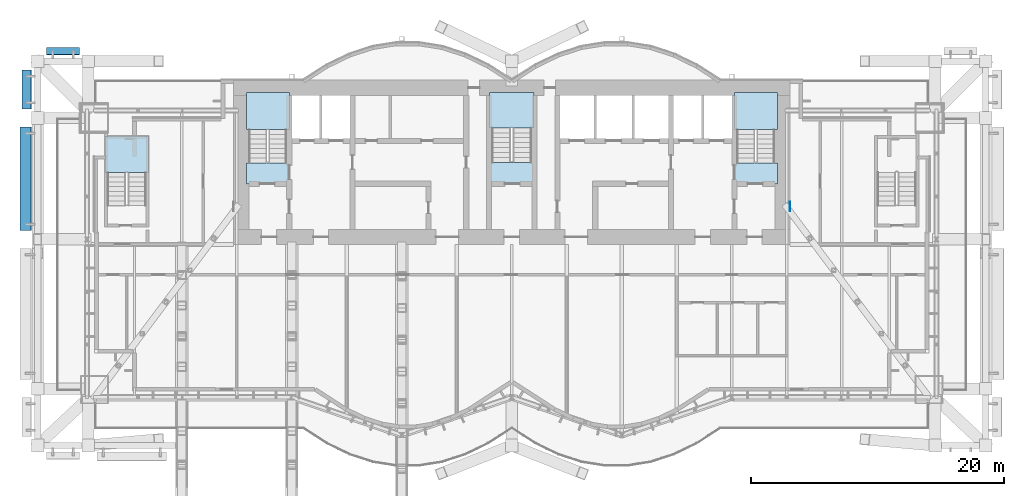
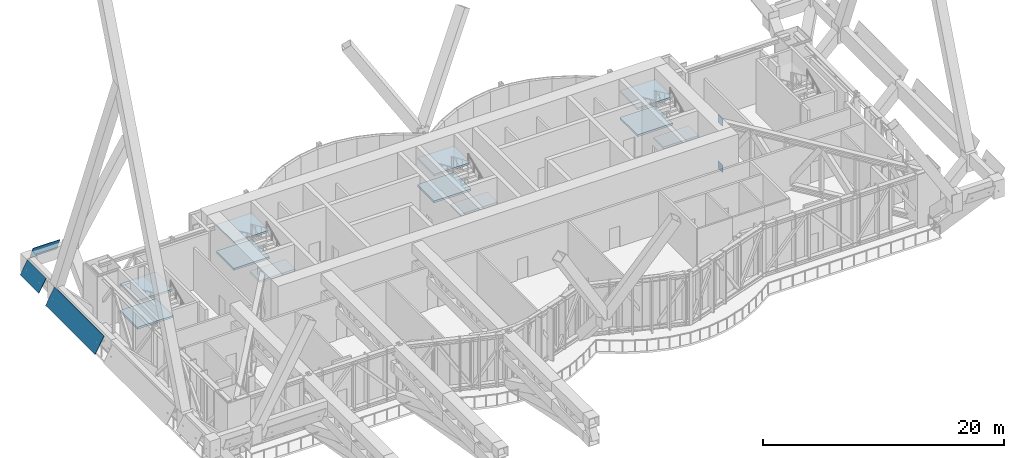
# One storey, part 22 of 30: 11 slabs, 5 plates, 4 elements without a shape of their own.
"""IFC4 building model written with IfcOpenShell, lengths in metres."""

from ifc_helpers import new_model, si_unit, direction, frame, origin, origin_2d, place, context, subcontext, project, spatial, polyline, rectangle, outline, extrude, material, layer, layer_set, type_object, element, aggregate, save


model = new_model("IFC4")

# Units and contexts
model_context = context("Model", 3, precision=1e-05, world=origin(), true_north=direction((0.0, 1.0)))
body_context = subcontext(model_context, "Body", "Model", "MODEL_VIEW")
ifc_project = project(units=[si_unit("LENGTHUNIT", "METRE"), si_unit("AREAUNIT", "SQUARE_METRE"), si_unit("VOLUMEUNIT", "CUBIC_METRE"), si_unit("PLANEANGLEUNIT", "RADIAN"), si_unit("MASSUNIT", "GRAM", prefix="KILO")], contexts=[model_context])

# Site, building, storey
site_placement = place(None, origin())
site = spatial("IfcSite", under=ifc_project, at=site_placement, CompositionType="ELEMENT")
building_placement = place(site_placement, origin())
building = spatial("IfcBuilding", under=site, at=building_placement, Name="Bicima Exchange Tower", CompositionType="ELEMENT")
storey_placement = place(building_placement, frame((0.0, 0.0, 287.60009765625)))
storey = spatial("IfcBuildingStorey", under=building, at=storey_placement, Name="L65", CompositionType="ELEMENT", Elevation=287.60009765625)

# Plates
ifc_material_1 = material(Name="Dark tinted spandrel glass", Category="glass")
ifc_layer_1 = layer(ifc_material_1, 0.0400390625)
ifc_layer_set_1 = layer_set([ifc_layer_1], Name="Dark tinted spandrel glass")
plate_type_1 = type_object("IfcPlateType", Name="Belt fascia glass panel 40", PredefinedType="SHEET", material=ifc_layer_set_1)
plate_1_placement = place(storey_placement, frame((-34.199951171875, 2.576416015625, 4.0498046875), z_axis=(0.0, 0.919715682457, 0.39258510344), x_axis=(-1.0, 0.0, 0.0)))
element("IfcPlate", 1, at=plate_1_placement, inside=storey, type_object=plate_type_1, Name="Belt fascia glass panel", PredefinedType="SHEET", context=body_context, shape_type="SweptSolid", body=[
    extrude(outline(polyline([(0.0, 0.0), (2.60009765625, 0.0), (2.60009765625, 1.3917663048388182), (0.0, 1.3917663048388182), (0.0, 0.0)])), origin(), (0.0, 0.0, -1.0), 0.0400390625),
])
plate_2_placement = place(storey_placement, frame((-38.732421875, 0.800048828125, 4.0498046875), z_axis=(-0.876685030348, 0.0, 0.481064816386), x_axis=(0.0, -1.0, 0.0)))
element("IfcPlate", 2, at=plate_2_placement, inside=storey, type_object=plate_type_1, Name="Belt fascia glass panel", PredefinedType="SHEET", context=body_context, shape_type="SweptSolid", body=[
    extrude(outline(polyline([(0.0, 0.0), (3.10009765625, 0.0), (3.10009765625, 1.4600788796032191), (0.0, 1.4600788796032191), (0.0, 0.0)])), origin(), (0.0, 0.0, -1.0), 0.0400390625),
])
plate_3_placement = place(storey_placement, frame((-38.897216796875, -3.699951171875, 3.75), z_axis=(-0.876618888201, 0.0, 0.481185333162), x_axis=(0.0, -1.0, 0.0)))
element("IfcPlate", 3, at=plate_3_placement, inside=storey, type_object=plate_type_1, Name="Belt fascia glass panel", PredefinedType="SHEET", context=body_context, shape_type="SweptSolid", body=[
    extrude(outline(polyline([(0.0, 0.0), (8.199951171875, 0.0), (8.199951171875, 1.8021902170255055), (0.0, 1.8021902170255055), (0.0, 0.0)])), origin(), (0.0, 0.0, -1.0), 0.0400390625),
])
ifc_material_2 = material(Name="Steel ASTM A572 Gr 50", Category="steel")
ifc_layer_2 = layer(ifc_material_2, 0.0400390625)
ifc_layer_set_2 = layer_set([ifc_layer_2], Name="Steel ASTM A572 Gr 50")
plate_type_2 = type_object("IfcPlateType", Name="Cast-in plate 40", PredefinedType="SHEET", material=ifc_layer_set_2)
for number, where, z_axis, x_axis, name in (
    (4, (22.02001953125, -10.0, 4.580810546875), (0.0, 0.0, 1.0), (1.0, 0.0, 0.0), "Cast-in plate at core wall"),
    (5, (22.02001953125, -10.0, -0.10009765625), (0.0, 0.0, 1.0), (1.0, 0.0, 0.0), "Cast-in plate at core wall"),
):
    element("IfcPlate", number, at=place(storey_placement, frame(where, z_axis=z_axis, x_axis=x_axis)), inside=storey, type_object=plate_type_2, Name=name, PredefinedType="SHEET", context=body_context, shape_type="SweptSolid", body=[
        extrude(rectangle(XDim=0.0400390625, YDim=0.754638671875, at=origin_2d()), origin(), (0.0, 0.0, 1.0), 0.76904296875),
    ])

# Stair, slabs
ifc_material_3 = material(Name="Concrete C50/60", Category="concrete")
stair_type_1 = type_object("IfcStairType", Name="Exit stair", PredefinedType="HALF_TURN_STAIR", material=ifc_material_3)
stair_1_placement = place(storey_placement, origin())
stair_1 = element("IfcStair", 6, at=stair_1_placement, inside=storey, type_object=stair_type_1, Name="L65 West exit stair", PredefinedType="HALF_TURN_STAIR")
ifc_layer_3 = layer(ifc_material_3, 0.199951171875)
ifc_layer_set_3 = layer_set([ifc_layer_3], Name="Concrete C50/60")
slab_type = type_object("IfcSlabType", Name="Stair landing slab", PredefinedType="LANDING", material=ifc_layer_set_3)
slab_1_placement = place(storey_placement, frame((0.0, 0.0, 1.14990234375)))
slab_1 = element("IfcSlab", 7, at=slab_1_placement, type_object=slab_type, Name="ST-W landing 1", PredefinedType="LANDING", context=body_context, shape_type="SweptSolid", body=[
    extrude(outline(polyline([(-17.60009765625, -3.919921875), (-17.60009765625, -1.0), (-21.0, -1.0), (-21.0, -3.919921875), (-17.60009765625, -3.919921875)])), origin(), (0.0, 0.0, 1.0), 0.199951171875),
])
slab_2_placement = place(storey_placement, frame((0.0, 0.0, 2.5)))
slab_2 = element("IfcSlab", 8, at=slab_2_placement, type_object=slab_type, Name="ST-W landing 2", PredefinedType="LANDING", context=body_context, shape_type="SweptSolid", body=[
    extrude(outline(polyline([(-17.60009765625, -8.199951171875), (-17.60009765625, -6.550048828125), (-21.0, -6.550048828125), (-21.0, -8.199951171875), (-17.60009765625, -8.199951171875)])), origin(), (0.0, 0.0, 1.0), 0.199951171875),
])
slab_3_placement = place(storey_placement, frame((0.0, 0.0, 3.849853515625)))
slab_3 = element("IfcSlab", 9, at=slab_3_placement, type_object=slab_type, Name="ST-W landing 3", PredefinedType="LANDING", context=body_context, shape_type="SweptSolid", body=[
    extrude(outline(polyline([(-17.60009765625, -3.919921875), (-17.60009765625, -1.0), (-21.0, -1.0), (-21.0, -3.919921875), (-17.60009765625, -3.919921875)])), origin(), (0.0, 0.0, 1.0), 0.199951171875),
])
aggregate(stair_1, [slab_1, slab_2, slab_3])

stair_type_2 = type_object("IfcStairType", Name="Exit stair 1500", PredefinedType="HALF_TURN_STAIR", material=ifc_material_3)
stair_2_placement = place(storey_placement, origin())
stair_2 = element("IfcStair", 10, at=stair_2_placement, inside=storey, type_object=stair_type_2, Name="L65 Central exit stair", PredefinedType="HALF_TURN_STAIR")
slab_4_placement = place(storey_placement, frame((0.0, 0.0, 1.14990234375)))
slab_4 = element("IfcSlab", 11, at=slab_4_placement, type_object=slab_type, Name="ST-C landing 1", PredefinedType="LANDING", context=body_context, shape_type="SweptSolid", body=[
    extrude(outline(polyline([(1.77490234375, -3.780029296875), (1.77490234375, -1.0), (-1.77490234375, -1.0), (-1.77490234375, -3.780029296875), (1.77490234375, -3.780029296875)])), origin(), (0.0, 0.0, 1.0), 0.199951171875),
])
slab_5_placement = place(storey_placement, frame((0.0, 0.0, 2.5)))
slab_5 = element("IfcSlab", 12, at=slab_5_placement, type_object=slab_type, Name="ST-C landing 2", PredefinedType="LANDING", context=body_context, shape_type="SweptSolid", body=[
    extrude(outline(polyline([(1.77490234375, -8.199951171875), (1.77490234375, -6.5), (-1.77490234375, -6.5), (-1.77490234375, -8.199951171875), (1.77490234375, -8.199951171875)])), origin(), (0.0, 0.0, 1.0), 0.199951171875),
])
slab_6_placement = place(storey_placement, frame((0.0, 0.0, 3.849853515625)))
slab_6 = element("IfcSlab", 13, at=slab_6_placement, type_object=slab_type, Name="ST-C landing 3", PredefinedType="LANDING", context=body_context, shape_type="SweptSolid", body=[
    extrude(outline(polyline([(1.77490234375, -3.780029296875), (1.77490234375, -1.0), (-1.77490234375, -1.0), (-1.77490234375, -3.780029296875), (1.77490234375, -3.780029296875)])), origin(), (0.0, 0.0, 1.0), 0.199951171875),
])
aggregate(stair_2, [slab_4, slab_5, slab_6])

stair_3_placement = place(storey_placement, origin())
stair_3 = element("IfcStair", 14, at=stair_3_placement, inside=storey, type_object=stair_type_1, Name="L65 East exit stair", PredefinedType="HALF_TURN_STAIR")
slab_7_placement = place(storey_placement, frame((0.0, 0.0, 1.14990234375)))
slab_7 = element("IfcSlab", 15, at=slab_7_placement, type_object=slab_type, Name="ST-E landing 1", PredefinedType="LANDING", context=body_context, shape_type="SweptSolid", body=[
    extrude(outline(polyline([(21.0, -3.919921875), (21.0, -1.0), (17.60009765625, -1.0), (17.60009765625, -3.919921875), (21.0, -3.919921875)])), origin(), (0.0, 0.0, 1.0), 0.199951171875),
])
slab_8_placement = place(storey_placement, frame((0.0, 0.0, 2.5)))
slab_8 = element("IfcSlab", 16, at=slab_8_placement, type_object=slab_type, Name="ST-E landing 2", PredefinedType="LANDING", context=body_context, shape_type="SweptSolid", body=[
    extrude(outline(polyline([(21.0, -8.199951171875), (21.0, -6.550048828125), (17.60009765625, -6.550048828125), (17.60009765625, -8.199951171875), (21.0, -8.199951171875)])), origin(), (0.0, 0.0, 1.0), 0.199951171875),
])
slab_9_placement = place(storey_placement, frame((0.0, 0.0, 3.849853515625)))
slab_9 = element("IfcSlab", 17, at=slab_9_placement, type_object=slab_type, Name="ST-E landing 3", PredefinedType="LANDING", context=body_context, shape_type="SweptSolid", body=[
    extrude(outline(polyline([(21.0, -3.919921875), (21.0, -1.0), (17.60009765625, -1.0), (17.60009765625, -3.919921875), (21.0, -3.919921875)])), origin(), (0.0, 0.0, 1.0), 0.199951171875),
])
aggregate(stair_3, [slab_7, slab_8, slab_9])

stair_4_placement = place(storey_placement, origin())
stair_4 = element("IfcStair", 18, at=stair_4_placement, inside=storey, type_object=stair_type_1, Name="L65 West end exit stair", PredefinedType="HALF_TURN_STAIR")
slab_10_placement = place(storey_placement, frame((0.0, 0.0, 1.14990234375)))
slab_10 = element("IfcSlab", 19, at=slab_10_placement, type_object=slab_type, Name="ST-WW landing 1", PredefinedType="LANDING", context=body_context, shape_type="SweptSolid", body=[
    extrude(outline(polyline([(-28.72509765625, -7.294921875), (-28.72509765625, -4.425048828125), (-32.175048828125, -4.425048828125), (-32.175048828125, -7.294921875), (-28.72509765625, -7.294921875)])), origin(), (0.0, 0.0, 1.0), 0.199951171875),
])
slab_11_placement = place(storey_placement, frame((0.0, 0.0, 3.849853515625)))
slab_11 = element("IfcSlab", 20, at=slab_11_placement, type_object=slab_type, Name="ST-WW landing 3", PredefinedType="LANDING", context=body_context, shape_type="SweptSolid", body=[
    extrude(outline(polyline([(-28.72509765625, -7.294921875), (-28.72509765625, -4.425048828125), (-32.175048828125, -4.425048828125), (-32.175048828125, -7.294921875), (-28.72509765625, -7.294921875)])), origin(), (0.0, 0.0, 1.0), 0.199951171875),
])
aggregate(stair_4, [slab_10, slab_11])

save(model, "model.ifc")
